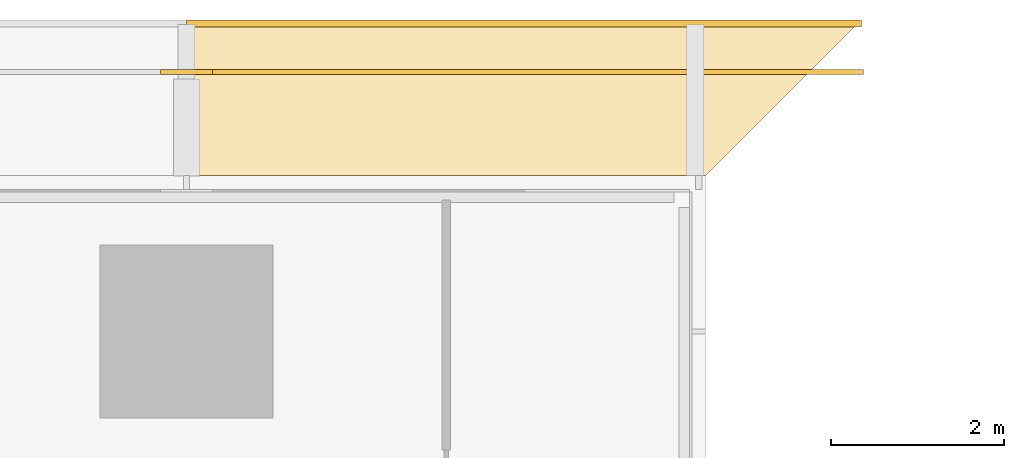
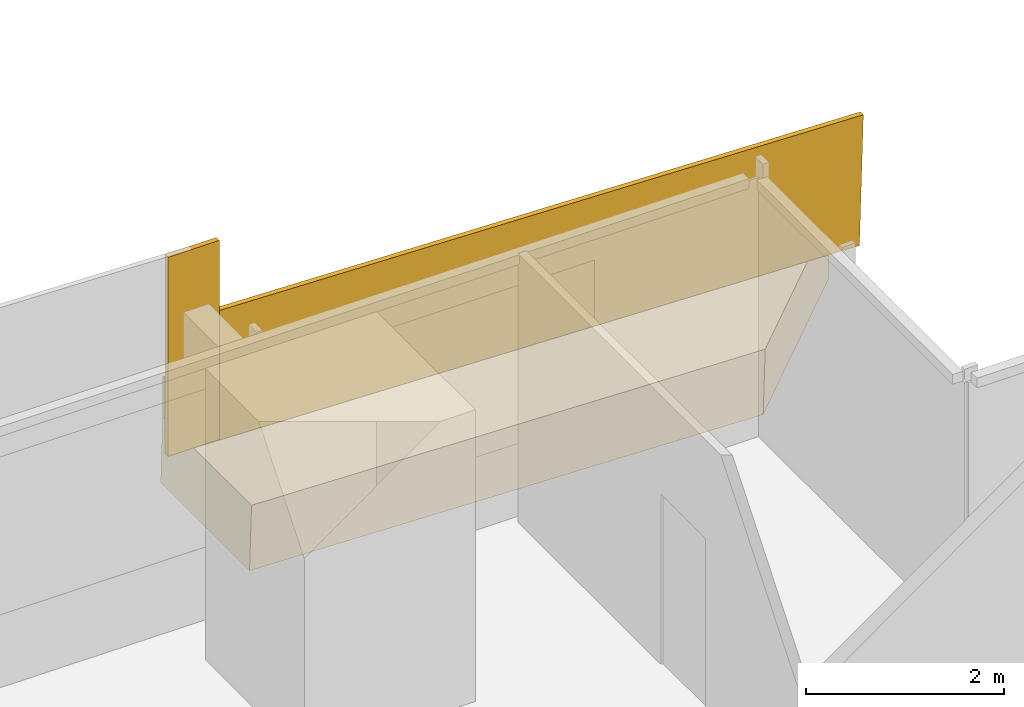
# One storey, part 30 of 30: 2 coverings, 2 railings.
"""IFC4 building model written with IfcOpenShell, lengths in metres."""

import ifcopenshell
import ifcopenshell.guid

model = None  # the IFC model being written
_history = None  # IfcOwnerHistory: only IFC2X3 demands one
_inside = {}  # id of a spatial element -> (the spatial element, [elements in it])
_under = {}  # id of a project, library or spatial element -> (it, [spatial elements below it])
_declared = {}  # id of a project -> (the project, [libraries it declares])
_typed = {}  # id of a type object -> (the type object, [elements of that type])
_made_of = {}  # id of a material, layer set ... -> (it, [elements and type objects made of it])


def new_model(schema):
    """Start an empty IFC model of exactly this schema.

    Asked for "IFC4X3", IfcOpenShell would pick the latest addendum, in which some entities
    have other attributes; the version numbers below select the first issue.
    IFC2X3 requires an IfcOwnerHistory on every rooted entity: one is made here for all.
    """
    global model, _history
    if schema == "IFC4X3":
        model = ifcopenshell.file(schema_version=(4, 3, 0, 0))
    else:
        model = ifcopenshell.file(schema=schema)
    _inside.clear()
    _under.clear()
    _declared.clear()
    _typed.clear()
    _made_of.clear()
    _history = None
    if model.schema == "IFC2X3":
        org = make("IfcOrganization", Name="unknown")
        user = make(
            "IfcPersonAndOrganization",
            ThePerson=make("IfcPerson", FamilyName="unknown"),
            TheOrganization=org,
        )
        app = make(
            "IfcApplication",
            ApplicationDeveloper=org,
            Version="unknown",
            ApplicationFullName="unknown",
            ApplicationIdentifier="unknown",
        )
        _history = make(
            "IfcOwnerHistory",
            OwningUser=user,
            OwningApplication=app,
            ChangeAction="ADDED",
            CreationDate=0,
        )
    return model


def make(cls, **values):
    """One entity of the class cls with the attributes given. An attribute that is None is left unset."""
    return model.create_entity(
        cls, **{name: value for name, value in values.items() if value is not None}
    )


def rooted(cls, **values):
    """An entity with a GlobalId (a new one), such as an element, a storey or a relation."""
    return make(cls, GlobalId=ifcopenshell.guid.new(), OwnerHistory=_history, **values)


def si_unit(unit_type, name, prefix=None):
    """IfcSIUnit, for example si_unit("LENGTHUNIT", "METRE", prefix="MILLI")."""
    return make("IfcSIUnit", UnitType=unit_type, Prefix=prefix, Name=name)


def assignment(units):
    """IfcUnitAssignment: the units of a project."""
    return None if units is None else make("IfcUnitAssignment", Units=units)


def point(xyz):
    """IfcCartesianPoint."""
    return None if xyz is None else make("IfcCartesianPoint", Coordinates=xyz)


def direction(xyz):
    """IfcDirection."""
    return None if xyz is None else make("IfcDirection", DirectionRatios=xyz)


def frame(location, z_axis=None, x_axis=None):
    """IfcAxis2Placement3D, a coordinate frame: its origin and axes. An axis left out is left unset."""
    return make(
        "IfcAxis2Placement3D",
        Location=point(location),
        Axis=direction(z_axis),
        RefDirection=direction(x_axis),
    )


def frame_2d(location, x_axis=None):
    """IfcAxis2Placement2D, a coordinate frame in the plane: its origin and x axis."""
    return make(
        "IfcAxis2Placement2D", Location=point(location), RefDirection=direction(x_axis)
    )


def origin():
    """The frame at (0, 0, 0) with its axes left unset."""
    return frame((0.0, 0.0, 0.0))


def origin_2d():
    """The frame at (0, 0) in the plane with its x axis left unset."""
    return frame_2d((0.0, 0.0))


def place(relative_to, where):
    """IfcLocalPlacement: puts the frame where relative to a parent placement (None: the world)."""
    return make(
        "IfcLocalPlacement", PlacementRelTo=relative_to, RelativePlacement=where
    )


def context(
    kind, dimensions, precision=None, world=None, true_north=None, identifier=None
):
    """IfcGeometricRepresentationContext, for example the 3D "Model" context."""
    return make(
        "IfcGeometricRepresentationContext",
        ContextIdentifier=identifier,
        ContextType=kind,
        CoordinateSpaceDimension=dimensions,
        Precision=precision,
        WorldCoordinateSystem=world,
        TrueNorth=true_north,
    )


def subcontext(parent, identifier, kind, view, scale=None):
    """IfcGeometricRepresentationSubContext, for example "Body" below "Model"."""
    return make(
        "IfcGeometricRepresentationSubContext",
        ContextIdentifier=identifier,
        ContextType=kind,
        ParentContext=parent,
        TargetScale=scale,
        TargetView=view,
    )


def project(units=None, contexts=None):
    """IfcProject with its units and contexts."""
    return rooted(
        "IfcProject",
        Name="project",
        RepresentationContexts=contexts,
        UnitsInContext=assignment(units),
    )


def spatial(cls, under=None, at=None, **own):
    """A site, building, storey or space (cls), placed at a placement, below another one or the project."""
    s = rooted(cls, ObjectPlacement=at, **own)
    if under is not None:
        _under.setdefault(under.id(), (under, []))[1].append(s)
    return s


def polyline(points):
    """IfcPolyline through the points."""
    return make("IfcPolyline", Points=[point(p) for p in points])


def profile(cls, at=None, kind="AREA", **sizes):
    """A parametric profile (cls). Its sizes go by their IFC names, for example OverallWidth=200.0."""
    return make(cls, ProfileType=kind, Position=at, **sizes)


def rectangle(**sizes):
    """IfcRectangleProfileDef."""
    return profile("IfcRectangleProfileDef", **sizes)


def outline(outer, holes=None, kind="AREA"):
    """IfcArbitraryClosedProfileDef: a profile drawn as a closed curve; with holes, ...WithVoids."""
    if holes is None:
        return make("IfcArbitraryClosedProfileDef", ProfileType=kind, OuterCurve=outer)
    return make(
        "IfcArbitraryProfileDefWithVoids",
        ProfileType=kind,
        OuterCurve=outer,
        InnerCurves=holes,
    )


def extrude(swept, where, along, depth):
    """IfcExtrudedAreaSolid: the profile swept, set in the frame where, extruded along a direction by depth."""
    return make(
        "IfcExtrudedAreaSolid",
        SweptArea=swept,
        Position=where,
        ExtrudedDirection=direction(along),
        Depth=depth,
    )


def shape(context_of_items, identifier, shape_type, items):
    """IfcShapeRepresentation: the items that make up one representation, for example the "Body"."""
    return make(
        "IfcShapeRepresentation",
        ContextOfItems=context_of_items,
        RepresentationIdentifier=identifier,
        RepresentationType=shape_type,
        Items=items,
    )


def material(Name=None, Category=None):
    """IfcMaterial."""
    return make("IfcMaterial", Name=Name, Category=Category)


def layer(
    of_material, thickness, ventilated=None, Name=None, Category=None, Priority=None
):
    """IfcMaterialLayer: one layer of a wall or slab, of a material (None: an air gap)."""
    return make(
        "IfcMaterialLayer",
        Material=of_material,
        LayerThickness=thickness,
        IsVentilated=ventilated,
        Name=Name,
        Category=Category,
        Priority=Priority,
    )


def layer_set(layers, Name=None):
    """IfcMaterialLayerSet."""
    return make("IfcMaterialLayerSet", MaterialLayers=layers, LayerSetName=Name)


def made_of(thing, what):
    """Note that an element or type object is made of a material, layer set ...; save() writes the relation."""
    if what is not None:
        _made_of.setdefault(what.id(), (what, []))[1].append(thing)
    return thing


def type_object(cls, material=None, **own):
    """A type object (cls), such as IfcWallType, which elements share."""
    return made_of(rooted(cls, **own), material)


def element(
    cls,
    number,
    at=None,
    inside=None,
    cuts=None,
    type_object=None,
    material=None,
    context=None,
    identifier="Body",
    shape_type=None,
    held_by="IfcProductDefinitionShape",
    body=None,
    shapes=None,
    **own,
):
    """One element of the class cls, such as IfcWall. Its Tag is "e" and its number.

    at: its placement. inside: the storey or other place that contains it. cuts: it is an
    opening in that element (IfcRelVoidsElement). A single representation is given by context,
    identifier, shape_type and body (its items); several are given by shapes. held_by: the class
    of the entity that holds the representations. save() writes the other relations.
    """
    e = rooted(cls, Tag="e%d" % number, ObjectPlacement=at, **own)
    if body is not None:
        shapes = [shape(context, identifier, shape_type, body)]
    if shapes is not None:
        e.Representation = make(held_by, Representations=shapes)
    if inside is not None:
        _inside.setdefault(inside.id(), (inside, []))[1].append(e)
    if cuts is not None:
        rooted(
            "IfcRelVoidsElement", RelatingBuildingElement=cuts, RelatedOpeningElement=e
        )
    if type_object is not None:
        _typed.setdefault(type_object.id(), (type_object, []))[1].append(e)
    return made_of(e, material)


def aggregate(whole, parts):
    """IfcRelAggregates: a whole, such as a stair, and the parts it consists of."""
    return rooted("IfcRelAggregates", RelatingObject=whole, RelatedObjects=parts)


def save(model, path):
    """Write the relations noted so far, then the file.

    IfcRelAggregates (storeys below a building ...), IfcRelContainedInSpatialStructure (elements
    in a storey), IfcRelDefinesByType, IfcRelAssociatesMaterial and IfcRelDeclares: one each for
    every whole, place, type object, material and project.
    """
    for whole, parts in _under.values():
        aggregate(whole, parts)
    for where, things in _inside.values():
        rooted(
            "IfcRelContainedInSpatialStructure",
            RelatedElements=things,
            RelatingStructure=where,
        )
    for kind, things in _typed.values():
        rooted("IfcRelDefinesByType", RelatedObjects=things, RelatingType=kind)
    for what, things in _made_of.values():
        rooted("IfcRelAssociatesMaterial", RelatedObjects=things, RelatingMaterial=what)
    for by, libraries in _declared.values():
        rooted("IfcRelDeclares", RelatingContext=by, RelatedDefinitions=libraries)
    model.write(path)


model = new_model("IFC4")

# Units and contexts
model_context = context("Model", 3, precision=1e-05, world=origin(), true_north=direction((0.0, 1.0)))
body_context = subcontext(model_context, "Body", "Model", "MODEL_VIEW")
ifc_project = project(units=[si_unit("LENGTHUNIT", "METRE"), si_unit("AREAUNIT", "SQUARE_METRE"), si_unit("VOLUMEUNIT", "CUBIC_METRE"), si_unit("PLANEANGLEUNIT", "RADIAN"), si_unit("MASSUNIT", "GRAM", prefix="KILO")], contexts=[model_context])

# Site, building, storey
site_placement = place(None, origin())
site = spatial("IfcSite", under=ifc_project, at=site_placement, CompositionType="ELEMENT")
building_placement = place(site_placement, origin())
building = spatial("IfcBuilding", under=site, at=building_placement, Name="Saffron Gate Tower", CompositionType="ELEMENT")
storey_placement = place(building_placement, frame((0.0, 0.0, 95.25)))
storey = spatial("IfcBuildingStorey", under=building, at=storey_placement, Name="L21", CompositionType="ELEMENT", Elevation=95.25)

# Coverings
ifc_material = material(Name="Timber, thermally modified ash", Category="wood")
ifc_layer_1 = layer(ifc_material, 0.800048828125)
ifc_layer_set_1 = layer_set([ifc_layer_1], Name="LD1 ledge timber")
covering_type_1 = type_object("IfcCoveringType", Name="LD1 ledge timber", PredefinedType="CLADDING", material=ifc_layer_set_1)
covering_1_placement = place(storey_placement, frame((123.0, 75.60009765625, 0.89990234375), z_axis=(0.028789477025, -2.3920834e-05, 0.999585496814), x_axis=(-0.9995854971, 1.72e-10, 0.028789477033)))
element("IfcCovering", 1, at=covering_1_placement, inside=storey, type_object=covering_type_1, Name="LEDGE", PredefinedType="CLADDING", context=body_context, shape_type="SweptSolid", body=[
    extrude(outline(polyline([(0.0, 0.0), (6.002489288687248, -8.470329472543003e-22), (6.002489288996045, -1.7998046869850703), (-1.800792782710612, -1.7998046893537554), (0.0, 0.0)])), origin(), (0.0, 0.0, -1.0), 0.800048828125),
])
ifc_layer_2 = layer(ifc_material, 0.080078125)
ifc_layer_set_2 = layer_set([ifc_layer_2], Name="LD2 ledge planter trough")
covering_type_2 = type_object("IfcCoveringType", Name="LD2 ledge planter trough", PredefinedType="CLADDING", material=ifc_layer_set_2)
covering_2_placement = place(storey_placement, frame((124.800048828125, 77.39990234375, 0.84814453125), z_axis=(0.0, 1.0, 0.0), x_axis=(-0.999585655924, 0.0, 0.028783962047)))
element("IfcCovering", 2, at=covering_2_placement, inside=storey, type_object=covering_type_2, Name="LEDGE planter trough", PredefinedType="CLADDING", context=body_context, shape_type="SweptSolid", body=[
    extrude(outline(polyline([(0.0, 0.0), (7.803282071825423, 2.7755575615628914e-17), (7.817674052849086, 0.4997928279619612), (0.014391981023662846, 0.4997928279619612), (0.0, 0.0)])), origin(), (0.0, 0.0, -1.0), 0.080078125),
])

# Railings
railing_type = type_object("IfcRailingType", Name="LG1 ledge balustrade", PredefinedType="BALUSTRADE", material=ifc_material)
railing_1_placement = place(storey_placement, frame((124.800048828125, 76.800048828125, 0.84814453125)))
element("IfcRailing", 3, at=railing_1_placement, inside=storey, type_object=railing_type, Name="LEDGE BALUSTRADE", PredefinedType="BALUSTRADE", context=body_context, shape_type="SweptSolid", body=[
    extrude(rectangle(XDim=0.06005859375, YDim=1.60009765625, at=origin_2d()), frame((0.0, 0.0, 0.800048828125), z_axis=(-0.999585655924, 0.0, 0.028783962047), x_axis=(0.0, -1.0, 0.0)), (0.0, 0.0, 1.0), 7.80322265625),
])
railing_2_placement = place(storey_placement, frame((117.300048828125, 76.800048828125, 1.07275390625)))
element("IfcRailing", 4, at=railing_2_placement, inside=storey, type_object=railing_type, Name="LEDGE BALUSTRADE", PredefinedType="BALUSTRADE", context=body_context, shape_type="SweptSolid", body=[
    extrude(rectangle(XDim=0.06005859375, YDim=2.45751953125, at=origin_2d()), frame((0.0, 0.0, 1.228759765625), z_axis=(-1.0, 0.0, 0.0), x_axis=(0.0, -1.0, 0.0)), (0.0, 0.0, 1.0), 0.60009765625),
])

save(model, "model.ifc")
